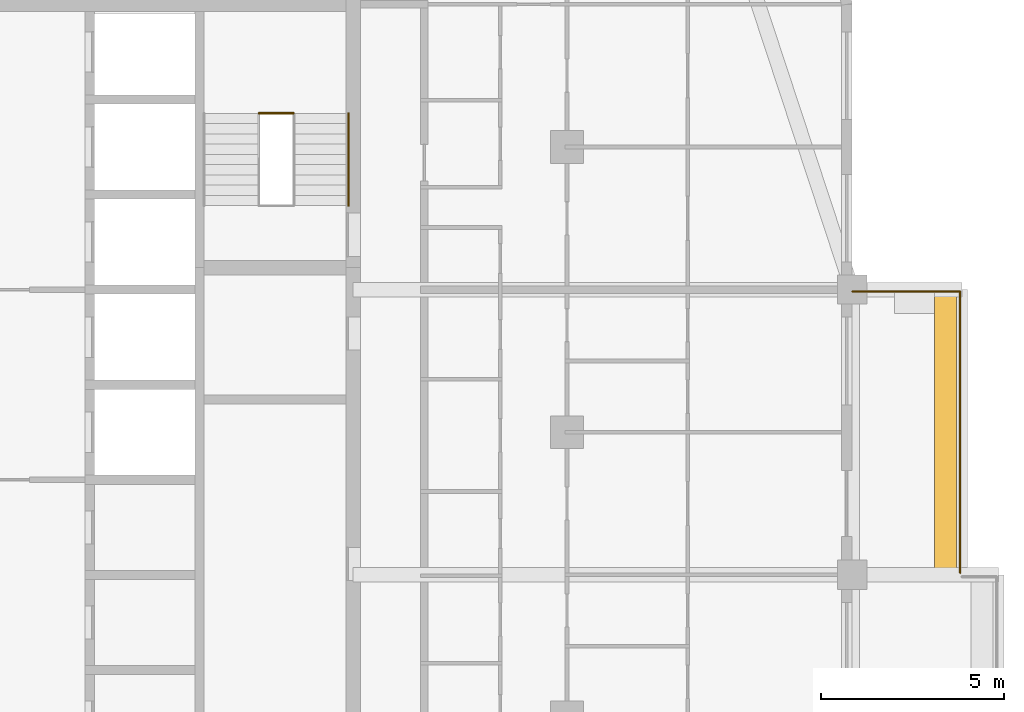
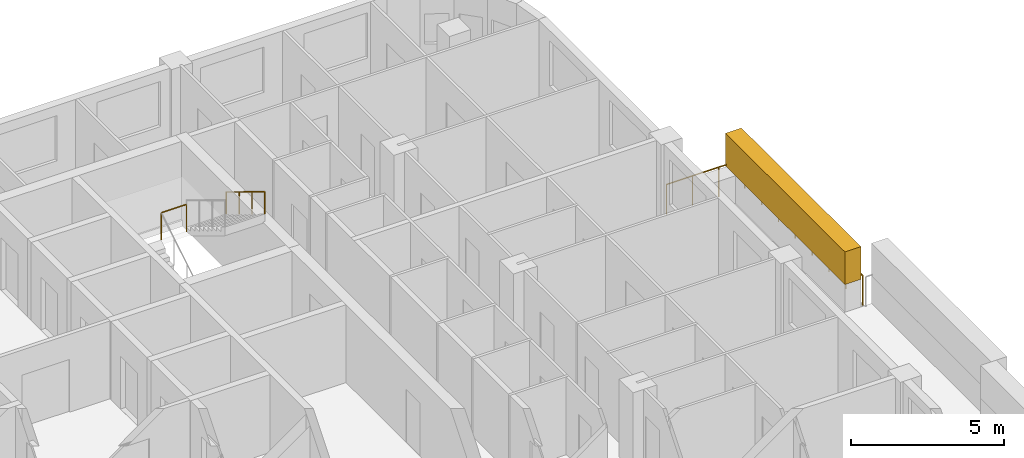
# One storey, part 16 of 16: 3 railings, 1 covering, 1 element without a shape of its own.
"""IFC4 building model written with IfcOpenShell, lengths in metres."""

from ifc_helpers import new_model, si_unit, direction, frame, origin, origin_2d, place, context, subcontext, project, spatial, rectangle, circle, extrude, material, layer, layer_set, type_object, element, aggregate, save


model = new_model("IFC4")

# Units and contexts
model_context = context("Model", 3, precision=1e-05, world=origin(), true_north=direction((0.0, 1.0)))
body_context = subcontext(model_context, "Body", "Model", "MODEL_VIEW")
ifc_project = project(units=[si_unit("LENGTHUNIT", "METRE"), si_unit("AREAUNIT", "SQUARE_METRE"), si_unit("VOLUMEUNIT", "CUBIC_METRE"), si_unit("PLANEANGLEUNIT", "RADIAN"), si_unit("MASSUNIT", "GRAM", prefix="KILO")], contexts=[model_context])

# Site, building, storey
site_placement = place(None, origin())
site = spatial("IfcSite", under=ifc_project, at=site_placement, CompositionType="ELEMENT")
building_placement = place(site_placement, origin())
building = spatial("IfcBuilding", under=site, at=building_placement, Name="Ludao Terraces", CompositionType="ELEMENT")
storey_placement = place(building_placement, frame((0.0, 0.0, 238.10009765625)))
storey = spatial("IfcBuildingStorey", under=building, at=storey_placement, Name="L65", CompositionType="ELEMENT", Elevation=238.10009765625)

# Railing
ifc_material_1 = material(Name="Stainless steel 304", Category="steel")
railing_type_1 = type_object("IfcRailingType", Name="ENV Balcony glass guard 1200", PredefinedType="GUARDRAIL", material=ifc_material_1)
railing_1_placement = place(storey_placement, frame((111.35009765625, 68.949951171875, 0.0)))
element("IfcRailing", 1, at=railing_1_placement, inside=storey, type_object=railing_type_1, Name="Balcony guard L65 E3", PredefinedType="GUARDRAIL", context=body_context, shape_type="SweptSolid", body=[
    extrude(circle(Radius=0.02392578125, at=origin_2d()), frame((0.0, 0.0, 1.17578125), z_axis=(0.0, 1.0, 0.0), x_axis=(-1.0, 0.0, 0.0)), (0.0, 0.0, 1.0), 7.699951171875),
    extrude(circle(Radius=0.02392578125, at=origin_2d()), frame((0.0, 7.699951171875, 1.17578125), z_axis=(-1.0, 0.0, 0.0), x_axis=(0.0, -1.0, 0.0)), (0.0, 0.0, 1.0), 2.9501953125),
    extrude(circle(Radius=0.02099609375, at=origin_2d()), origin(), (0.0, 0.0, 1.0), 1.15185546875),
    extrude(circle(Radius=0.02099609375, at=origin_2d()), frame((0.0, 1.10009765625, 0.0)), (0.0, 0.0, 1.0), 1.15185546875),
    extrude(circle(Radius=0.02099609375, at=origin_2d()), frame((0.0, 2.199951171875, 0.0)), (0.0, 0.0, 1.0), 1.15185546875),
    extrude(circle(Radius=0.02099609375, at=origin_2d()), frame((0.0, 3.300048828125, 0.0)), (0.0, 0.0, 1.0), 1.15185546875),
    extrude(circle(Radius=0.02099609375, at=origin_2d()), frame((0.0, 4.39990234375, 0.0)), (0.0, 0.0, 1.0), 1.15185546875),
    extrude(circle(Radius=0.02099609375, at=origin_2d()), frame((0.0, 5.5, 0.0)), (0.0, 0.0, 1.0), 1.15185546875),
    extrude(circle(Radius=0.02099609375, at=origin_2d()), frame((0.0, 6.599853515625, 0.0)), (0.0, 0.0, 1.0), 1.15185546875),
    extrude(circle(Radius=0.02099609375, at=origin_2d()), frame((0.0, 7.699951171875, 0.0)), (0.0, 0.0, 1.0), 1.15185546875),
    extrude(circle(Radius=0.02099609375, at=origin_2d()), frame((-0.9833984375, 7.699951171875, 0.0)), (0.0, 0.0, 1.0), 1.15185546875),
    extrude(circle(Radius=0.02099609375, at=origin_2d()), frame((-1.966796875, 7.699951171875, 0.0)), (0.0, 0.0, 1.0), 1.15185546875),
    extrude(circle(Radius=0.02099609375, at=origin_2d()), frame((-2.9501953125, 7.699951171875, 0.0)), (0.0, 0.0, 1.0), 1.15185546875),
])

# Covering
ifc_material_2 = material(Name="Planting")
ifc_layer = layer(ifc_material_2, 0.60009765625)
ifc_layer_set = layer_set([ifc_layer], Name="ENV Planting hedge 600x1300")
covering_type = type_object("IfcCoveringType", Name="ENV Planting hedge 600x1300", PredefinedType="USERDEFINED", material=ifc_layer_set)
covering_placement = place(storey_placement, frame((110.949951171875, 72.800048828125, 1.10009765625), z_axis=(0.0, 0.0, 1.0), x_axis=(1.0, 0.0, 0.0)))
element("IfcCovering", 2, at=covering_placement, inside=storey, type_object=covering_type, Name="Planting hedge L65-E3", ObjectType="PLANTING", PredefinedType="USERDEFINED", context=body_context, shape_type="SweptSolid", body=[
    extrude(rectangle(XDim=0.60009765625, YDim=7.800048828125, at=origin_2d()), origin(), (0.0, 0.0, 1.0), 1.300048828125),
])

# Stair, railings
ifc_material_3 = material(Name="Concrete C40", Category="concrete")
stair_type = type_object("IfcStairType", Name="INT Stair", PredefinedType="HALF_TURN_STAIR", material=ifc_material_3)
stair_placement = place(storey_placement, origin())
stair = element("IfcStair", 3, at=stair_placement, inside=storey, type_object=stair_type, Name="EXIT STAIR 2", PredefinedType="HALF_TURN_STAIR")
railing_type_2 = type_object("IfcRailingType", Name="INT Stair guard 1100", PredefinedType="GUARDRAIL", material=ifc_material_1)
railing_2_placement = place(storey_placement, frame((92.175048828125, 81.52001953125, 1.699951171875)))
railing_2 = element("IfcRailing", 4, at=railing_2_placement, type_object=railing_type_2, Name="ST-L65-S2-E1G", PredefinedType="GUARDRAIL", context=body_context, shape_type="SweptSolid", body=[
    extrude(circle(Radius=0.02392578125, at=origin_2d()), frame((0.0, 0.0, 1.076171875), z_axis=(1.0, 0.0, 0.0), x_axis=(0.0, 1.0, 0.0)), (0.0, 0.0, 1.0), 0.949951171875),
    extrude(circle(Radius=0.02099609375, at=origin_2d()), origin(), (0.0, 0.0, 1.0), 1.052001953125),
    extrude(circle(Radius=0.02099609375, at=origin_2d()), frame((0.949951171875, 0.0, 0.0)), (0.0, 0.0, 1.0), 1.052001953125),
])
railing_type_3 = type_object("IfcRailingType", Name="INT Stair handrail 900", PredefinedType="HANDRAIL", material=ifc_material_1)
railing_3_placement = place(storey_placement, frame((94.625, 81.52001953125, 1.869873046875)))
railing_3 = element("IfcRailing", 5, at=railing_3_placement, type_object=railing_type_3, Name="ST-L65-S2-R2H", PredefinedType="HANDRAIL", context=body_context, shape_type="SweptSolid", body=[
    extrude(circle(Radius=0.02392578125, at=origin_2d()), frame((0.0, 0.0, 0.8759765625), z_axis=(0.0, -0.85478489116, 0.518982456201), x_axis=(1.0, 0.0, 0.0)), (0.0, 0.0, 1.0), 2.9482421875),
    extrude(circle(Radius=0.02099609375, at=origin_2d()), origin(), (0.0, 0.0, 1.0), 0.851806640625),
    extrude(circle(Radius=0.02099609375, at=origin_2d()), frame((0.0, -0.840087890625, 0.510009765625)), (0.0, 0.0, 1.0), 0.851806640625),
    extrude(circle(Radius=0.02099609375, at=origin_2d()), frame((0.0, -1.679931640625, 1.02001953125)), (0.0, 0.0, 1.0), 0.851806640625),
    extrude(circle(Radius=0.02099609375, at=origin_2d()), frame((0.0, -2.52001953125, 1.530029296875)), (0.0, 0.0, 1.0), 0.851806640625),
])
aggregate(stair, [railing_3, railing_2])

save(model, "model.ifc")
